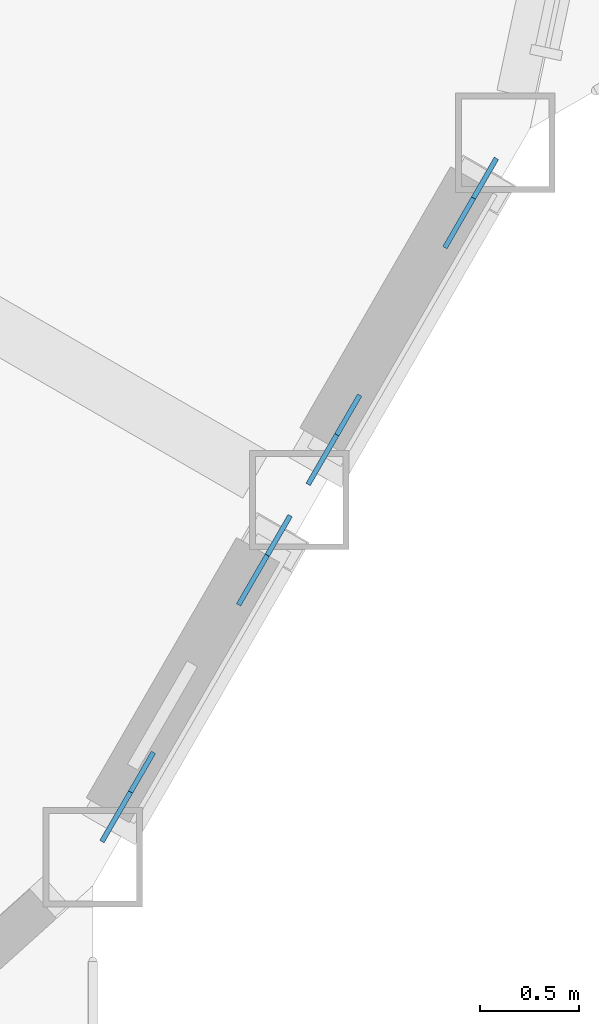
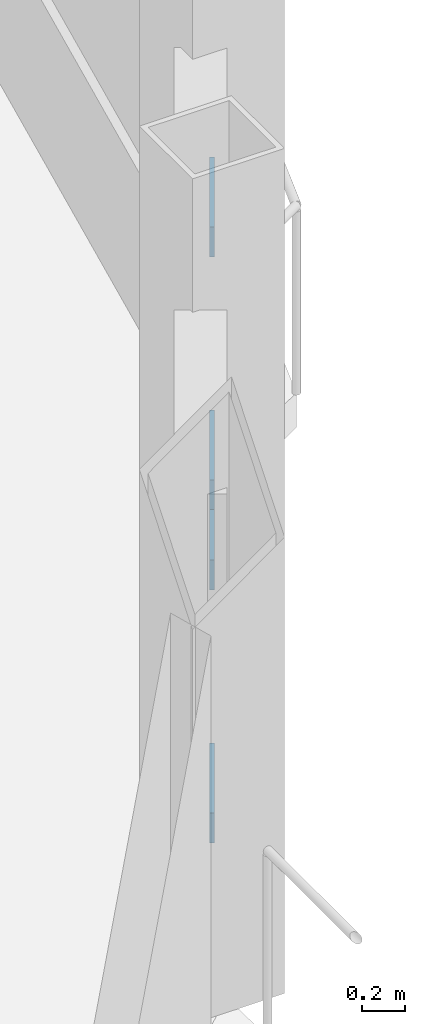
# One storey, part 20 of 26: 4 discrete accessories.
"""IFC4 building model written with IfcOpenShell, lengths in metres."""

from ifc_helpers import new_model, si_unit, direction, frame, origin, origin_2d, place, context, subcontext, project, spatial, rectangle, extrude, material, material_profile, profile_set, type_object, element, save


model = new_model("IFC4")

# Units and contexts
model_context = context("Model", 3, precision=1e-05, world=origin(), true_north=direction((0.0, 1.0)))
body_context = subcontext(model_context, "Body", "Model", "MODEL_VIEW")
ifc_project = project(units=[si_unit("LENGTHUNIT", "METRE"), si_unit("AREAUNIT", "SQUARE_METRE"), si_unit("VOLUMEUNIT", "CUBIC_METRE"), si_unit("PLANEANGLEUNIT", "RADIAN"), si_unit("MASSUNIT", "GRAM", prefix="KILO")], contexts=[model_context])

# Site, building, storey
site_placement = place(None, origin())
site = spatial("IfcSite", under=ifc_project, at=site_placement, CompositionType="ELEMENT")
building_placement = place(site_placement, origin())
building = spatial("IfcBuilding", under=site, at=building_placement, Name="Cormorant Prow Tower", CompositionType="ELEMENT")
storey_placement = place(building_placement, frame((0.0, 0.0, 398.39990234375)))
storey = spatial("IfcBuildingStorey", under=building, at=storey_placement, Name="L91", CompositionType="ELEMENT", Elevation=398.39990234375)

# Discrete accessories
ifc_material = material(Name="Structural steel ASTM A500 Gr C", Category="steel")
ifc_material_profile = material_profile(ifc_material, rectangle(XDim=0.02490234375, YDim=0.405029296875, at=origin_2d()), Name="Gusset plate 25x405")
ifc_profile_set = profile_set([ifc_material_profile], Name="Structural steel ASTM A500 Gr C")
discrete_accessory_type = type_object("IfcDiscreteAccessoryType", Name="Gusset plate 25x405", PredefinedType="BRACKET", material=ifc_profile_set)
discrete_accessory_1_placement = place(storey_placement, frame((26.246826171875, -16.978271484375, 0.94140625), z_axis=(-0.411432439557, -0.711987323368, -0.5690319842), x_axis=(0.865832418869, -0.500334110806, 0.0)))
element("IfcDiscreteAccessory", 1, at=discrete_accessory_1_placement, inside=storey, type_object=discrete_accessory_type, Name="Gusset plate GP3 L91.ESE00.g0", PredefinedType="BRACKET", context=body_context, shape_type="SweptSolid", body=[
    extrude(rectangle(XDim=0.02490234375, YDim=0.405029296875, at=origin_2d()), origin(), (0.0, 0.0, 1.0), 0.35009765625),
])
discrete_accessory_2_placement = place(storey_placement, frame((26.7900390625, -16.037109375, 1.69287109375), z_axis=(0.411595697368, 0.712269842394, 0.568560158228), x_axis=(-0.865832418869, 0.500334110806, 0.0)))
element("IfcDiscreteAccessory", 2, at=discrete_accessory_2_placement, inside=storey, type_object=discrete_accessory_type, Name="Gusset plate GP3 L91.ESE00.g1", PredefinedType="BRACKET", context=body_context, shape_type="SweptSolid", body=[
    extrude(rectangle(XDim=0.02490234375, YDim=0.405029296875, at=origin_2d()), origin(), (0.0, 0.0, 1.0), 0.349853515625),
])
discrete_accessory_3_placement = place(storey_placement, frame((27.28369140625, -15.182373046875, 0.94140625), z_axis=(-0.411432439557, -0.711987323368, -0.5690319842), x_axis=(0.865832418869, -0.500334110806, 0.0)))
element("IfcDiscreteAccessory", 3, at=discrete_accessory_3_placement, inside=storey, type_object=discrete_accessory_type, Name="Gusset plate GP3 L91.ESE01.g0", PredefinedType="BRACKET", context=body_context, shape_type="SweptSolid", body=[
    extrude(rectangle(XDim=0.02490234375, YDim=0.405029296875, at=origin_2d()), origin(), (0.0, 0.0, 1.0), 0.35009765625),
])
discrete_accessory_4_placement = place(storey_placement, frame((27.8271484375, -14.2412109375, 1.69287109375), z_axis=(0.411016012482, 0.712474276306, 0.568723344945), x_axis=(-0.866199709737, 0.499697971631, 0.0)))
element("IfcDiscreteAccessory", 4, at=discrete_accessory_4_placement, inside=storey, type_object=discrete_accessory_type, Name="Gusset plate GP3 L91.ESE01.g1", PredefinedType="BRACKET", context=body_context, shape_type="SweptSolid", body=[
    extrude(rectangle(XDim=0.02490234375, YDim=0.405029296875, at=origin_2d()), origin(), (0.0, 0.0, 1.0), 0.349853515625),
])

save(model, "model.ifc")
